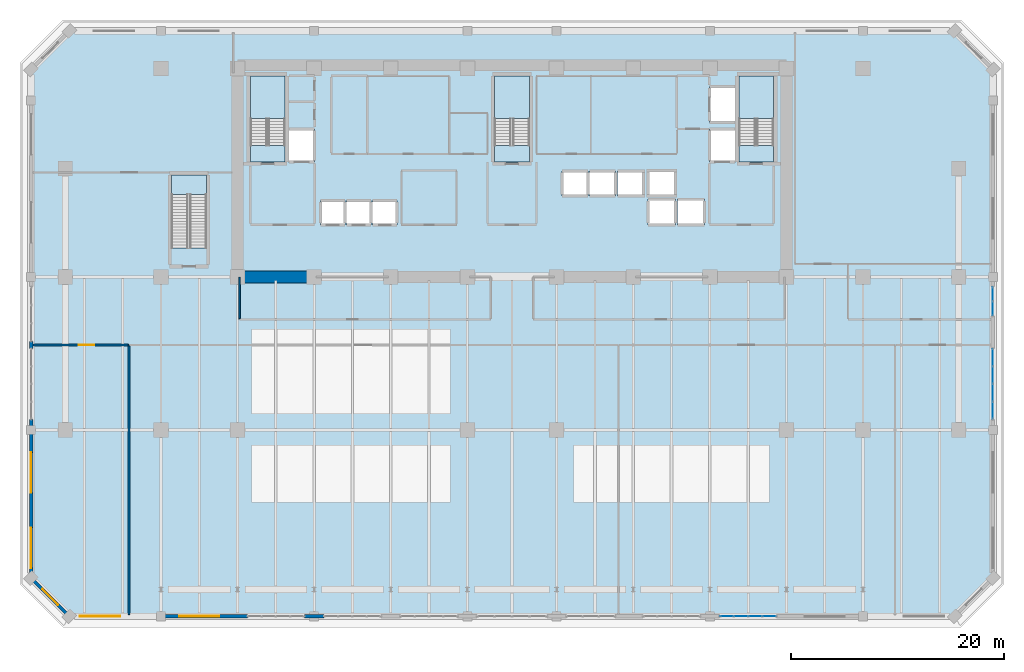
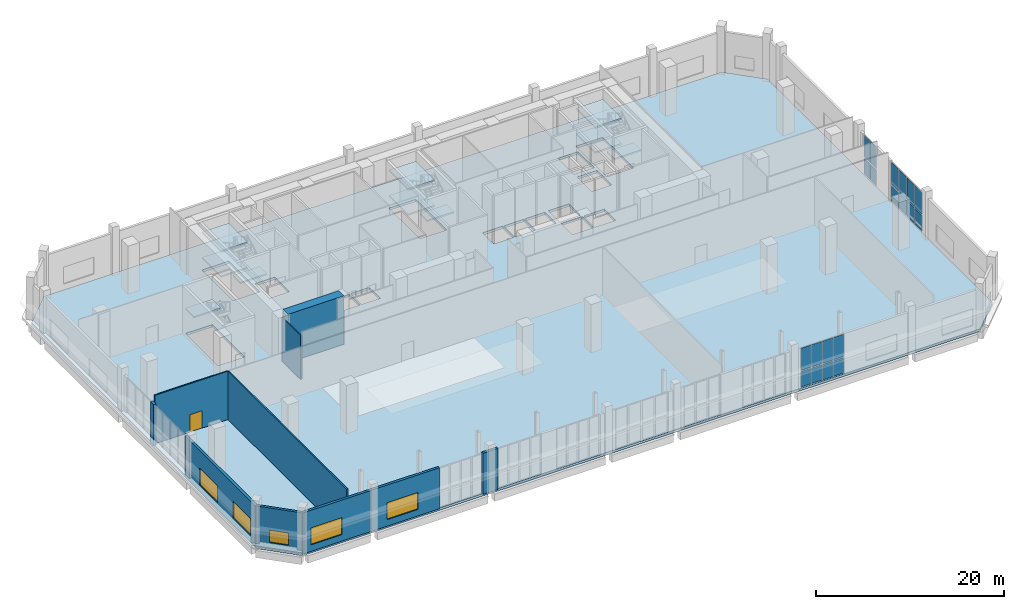
# One storey, part 20 of 29: 20 plates, 11 slabs, 9 walls, 5 windows, 1 door, 6 openings, 7 elements without a shape of their own.
"""IFC4 building model written with IfcOpenShell, lengths in metres."""

from ifc_helpers import new_model, si_unit, direction, frame, frame_2d, origin, origin_2d, place, context, subcontext, project, spatial, polyline, rectangle, outline, extrude, material, layer, layer_set, type_object, element, fill, aggregate, save


model = new_model("IFC4")

# Units and contexts
model_context = context("Model", 3, precision=1e-05, world=origin(), true_north=direction((0.0, 1.0)))
body_context = subcontext(model_context, "Body", "Model", "MODEL_VIEW")
ifc_project = project(units=[si_unit("LENGTHUNIT", "METRE"), si_unit("AREAUNIT", "SQUARE_METRE"), si_unit("VOLUMEUNIT", "CUBIC_METRE"), si_unit("PLANEANGLEUNIT", "RADIAN"), si_unit("MASSUNIT", "GRAM", prefix="KILO")], contexts=[model_context])

# Site, building, storey
site_placement = place(None, origin())
site = spatial("IfcSite", under=ifc_project, at=site_placement, CompositionType="ELEMENT")
building_placement = place(site_placement, origin())
building = spatial("IfcBuilding", under=site, at=building_placement, Name="Kaelvorn Grand Hotel", CompositionType="ELEMENT")
storey_placement = place(building_placement, frame((0.0, 0.0, 19.39990234375)))
storey = spatial("IfcBuildingStorey", under=building, at=storey_placement, Name="L03", CompositionType="ELEMENT", Elevation=19.39990234375)

# Curtain wall, plates
ifc_material_1 = material(Name="Anodised Aluminium", Category="aluminium")
ifc_layer_1 = layer(ifc_material_1, 0.199951171875)
ifc_layer_set_1 = layer_set([ifc_layer_1], Name="Anodised Aluminium")
curtain_wall_type = type_object("IfcCurtainWallType", Name="CW-SYS2", PredefinedType="NOTDEFINED", material=ifc_layer_set_1)
curtain_wall_1_placement = place(storey_placement, origin())
curtain_wall_1 = element("IfcCurtainWall", 1, at=curtain_wall_1_placement, inside=storey, type_object=curtain_wall_type, Name="L03 Unitised Curtain Wall CW2 (CW-L03-S-07)", PredefinedType="NOTDEFINED")
ifc_material_2 = material(Name="Laminated Low-E Glass", Category="glass")
ifc_layer_2 = layer(ifc_material_2, 0.031982421875)
ifc_layer_set_2 = layer_set([ifc_layer_2], Name="Laminated Low-E Glass")
plate_type = type_object("IfcPlateType", Name="CW-SYS2-PAN", PredefinedType="CURTAIN_PANEL", material=ifc_layer_set_2)
plate_1_placement = place(storey_placement, frame((62.208740234375, -2.5, 0.150146484375), z_axis=(0.0, 0.0, 1.0), x_axis=(1.0, 0.0, 0.0)))
plate_1 = element("IfcPlate", 2, at=plate_1_placement, type_object=plate_type, Name="CW2 panel 1.1", PredefinedType="CURTAIN_PANEL", context=body_context, shape_type="SweptSolid", body=[
    extrude(rectangle(XDim=1.2275390625, YDim=0.031982421875, at=origin_2d()), origin(), (0.0, 0.0, 1.0), 2.013671875),
])
plate_2_placement = place(storey_placement, frame((62.208740234375, -2.5, 2.3134765625), z_axis=(0.0, 0.0, 1.0), x_axis=(1.0, 0.0, 0.0)))
plate_2 = element("IfcPlate", 3, at=plate_2_placement, type_object=plate_type, Name="CW2 panel 1.2", PredefinedType="CURTAIN_PANEL", context=body_context, shape_type="SweptSolid", body=[
    extrude(rectangle(XDim=1.2275390625, YDim=0.031982421875, at=origin_2d()), origin(), (0.0, 0.0, 1.0), 2.866455078125),
])
plate_3_placement = place(storey_placement, frame((63.530029296875, -2.5, 0.150146484375), z_axis=(0.0, 0.0, 1.0), x_axis=(1.0, 0.0, 0.0)))
plate_3 = element("IfcPlate", 4, at=plate_3_placement, type_object=plate_type, Name="CW2 panel 2.1", PredefinedType="CURTAIN_PANEL", context=body_context, shape_type="SweptSolid", body=[
    extrude(rectangle(XDim=1.264892578125, YDim=0.031982421875, at=origin_2d()), origin(), (0.0, 0.0, 1.0), 2.013671875),
])
plate_4_placement = place(storey_placement, frame((63.530029296875, -2.5, 2.3134765625), z_axis=(0.0, 0.0, 1.0), x_axis=(1.0, 0.0, 0.0)))
plate_4 = element("IfcPlate", 5, at=plate_4_placement, type_object=plate_type, Name="CW2 panel 2.2", PredefinedType="CURTAIN_PANEL", context=body_context, shape_type="SweptSolid", body=[
    extrude(rectangle(XDim=1.264892578125, YDim=0.031982421875, at=origin_2d()), origin(), (0.0, 0.0, 1.0), 2.866455078125),
])
plate_5_placement = place(storey_placement, frame((64.8701171875, -2.5, 0.150146484375), z_axis=(0.0, 0.0, 1.0), x_axis=(1.0, 0.0, 0.0)))
plate_5 = element("IfcPlate", 6, at=plate_5_placement, type_object=plate_type, Name="CW2 panel 3.1", PredefinedType="CURTAIN_PANEL", context=body_context, shape_type="SweptSolid", body=[
    extrude(rectangle(XDim=1.264892578125, YDim=0.031982421875, at=origin_2d()), origin(), (0.0, 0.0, 1.0), 2.013671875),
])
plate_6_placement = place(storey_placement, frame((64.8701171875, -2.5, 2.3134765625), z_axis=(0.0, 0.0, 1.0), x_axis=(1.0, 0.0, 0.0)))
plate_6 = element("IfcPlate", 7, at=plate_6_placement, type_object=plate_type, Name="CW2 panel 3.2", PredefinedType="CURTAIN_PANEL", context=body_context, shape_type="SweptSolid", body=[
    extrude(rectangle(XDim=1.264892578125, YDim=0.031982421875, at=origin_2d()), origin(), (0.0, 0.0, 1.0), 2.866455078125),
])
plate_7_placement = place(storey_placement, frame((66.191162109375, -2.5, 0.150146484375), z_axis=(0.0, 0.0, 1.0), x_axis=(1.0, 0.0, 0.0)))
plate_7 = element("IfcPlate", 8, at=plate_7_placement, type_object=plate_type, Name="CW2 panel 4.1", PredefinedType="CURTAIN_PANEL", context=body_context, shape_type="SweptSolid", body=[
    extrude(rectangle(XDim=1.2275390625, YDim=0.031982421875, at=origin_2d()), origin(), (0.0, 0.0, 1.0), 2.013671875),
])
plate_8_placement = place(storey_placement, frame((66.191162109375, -2.5, 2.3134765625), z_axis=(0.0, 0.0, 1.0), x_axis=(1.0, 0.0, 0.0)))
plate_8 = element("IfcPlate", 9, at=plate_8_placement, type_object=plate_type, Name="CW2 panel 4.2", PredefinedType="CURTAIN_PANEL", context=body_context, shape_type="SweptSolid", body=[
    extrude(rectangle(XDim=1.2275390625, YDim=0.031982421875, at=origin_2d()), origin(), (0.0, 0.0, 1.0), 2.866455078125),
])
aggregate(curtain_wall_1, [plate_1, plate_2, plate_3, plate_4, plate_5, plate_6, plate_7, plate_8])

curtain_wall_2_placement = place(storey_placement, origin())
curtain_wall_2 = element("IfcCurtainWall", 10, at=curtain_wall_2_placement, inside=storey, type_object=curtain_wall_type, Name="L03 Unitised Curtain Wall CW2 (CW-L03-E-01)", PredefinedType="NOTDEFINED")
plate_9_placement = place(storey_placement, frame((87.199951171875, 16.853759765625, 0.150146484375), z_axis=(0.0, 0.0, 1.0), x_axis=(0.0, 1.0, 0.0)))
plate_9 = element("IfcPlate", 11, at=plate_9_placement, type_object=plate_type, Name="CW2 panel 1.1", PredefinedType="CURTAIN_PANEL", context=body_context, shape_type="SweptSolid", body=[
    extrude(rectangle(XDim=1.5576171875, YDim=0.031982421875, at=origin_2d()), origin(), (0.0, 0.0, 1.0), 2.013671875),
])
plate_10_placement = place(storey_placement, frame((87.199951171875, 16.853759765625, 2.3134765625), z_axis=(0.0, 0.0, 1.0), x_axis=(0.0, 1.0, 0.0)))
plate_10 = element("IfcPlate", 12, at=plate_10_placement, type_object=plate_type, Name="CW2 panel 1.2", PredefinedType="CURTAIN_PANEL", context=body_context, shape_type="SweptSolid", body=[
    extrude(rectangle(XDim=1.5576171875, YDim=0.031982421875, at=origin_2d()), origin(), (0.0, 0.0, 1.0), 2.866455078125),
])
plate_11_placement = place(storey_placement, frame((87.199951171875, 18.5048828125, 0.150146484375), z_axis=(0.0, 0.0, 1.0), x_axis=(0.0, 1.0, 0.0)))
plate_11 = element("IfcPlate", 13, at=plate_11_placement, type_object=plate_type, Name="CW2 panel 2.1", PredefinedType="CURTAIN_PANEL", context=body_context, shape_type="SweptSolid", body=[
    extrude(rectangle(XDim=1.594970703125, YDim=0.031982421875, at=origin_2d()), origin(), (0.0, 0.0, 1.0), 2.013671875),
])
plate_12_placement = place(storey_placement, frame((87.199951171875, 18.5048828125, 2.3134765625), z_axis=(0.0, 0.0, 1.0), x_axis=(0.0, 1.0, 0.0)))
plate_12 = element("IfcPlate", 14, at=plate_12_placement, type_object=plate_type, Name="CW2 panel 2.2", PredefinedType="CURTAIN_PANEL", context=body_context, shape_type="SweptSolid", body=[
    extrude(rectangle(XDim=1.594970703125, YDim=0.031982421875, at=origin_2d()), origin(), (0.0, 0.0, 1.0), 2.866455078125),
])
plate_13_placement = place(storey_placement, frame((87.199951171875, 20.175048828125, 0.150146484375), z_axis=(0.0, 0.0, 1.0), x_axis=(0.0, 1.0, 0.0)))
plate_13 = element("IfcPlate", 15, at=plate_13_placement, type_object=plate_type, Name="CW2 panel 3.1", PredefinedType="CURTAIN_PANEL", context=body_context, shape_type="SweptSolid", body=[
    extrude(rectangle(XDim=1.594970703125, YDim=0.031982421875, at=origin_2d()), origin(), (0.0, 0.0, 1.0), 2.013671875),
])
plate_14_placement = place(storey_placement, frame((87.199951171875, 20.175048828125, 2.3134765625), z_axis=(0.0, 0.0, 1.0), x_axis=(0.0, 1.0, 0.0)))
plate_14 = element("IfcPlate", 16, at=plate_14_placement, type_object=plate_type, Name="CW2 panel 3.2", PredefinedType="CURTAIN_PANEL", context=body_context, shape_type="SweptSolid", body=[
    extrude(rectangle(XDim=1.594970703125, YDim=0.031982421875, at=origin_2d()), origin(), (0.0, 0.0, 1.0), 2.866455078125),
])
plate_15_placement = place(storey_placement, frame((87.199951171875, 21.826171875, 0.150146484375), z_axis=(0.0, 0.0, 1.0), x_axis=(0.0, 1.0, 0.0)))
plate_15 = element("IfcPlate", 17, at=plate_15_placement, type_object=plate_type, Name="CW2 panel 4.1", PredefinedType="CURTAIN_PANEL", context=body_context, shape_type="SweptSolid", body=[
    extrude(rectangle(XDim=1.5576171875, YDim=0.031982421875, at=origin_2d()), origin(), (0.0, 0.0, 1.0), 2.013671875),
])
plate_16_placement = place(storey_placement, frame((87.199951171875, 21.826171875, 2.3134765625), z_axis=(0.0, 0.0, 1.0), x_axis=(0.0, 1.0, 0.0)))
plate_16 = element("IfcPlate", 18, at=plate_16_placement, type_object=plate_type, Name="CW2 panel 4.2", PredefinedType="CURTAIN_PANEL", context=body_context, shape_type="SweptSolid", body=[
    extrude(rectangle(XDim=1.5576171875, YDim=0.031982421875, at=origin_2d()), origin(), (0.0, 0.0, 1.0), 2.866455078125),
])
aggregate(curtain_wall_2, [plate_9, plate_10, plate_11, plate_12, plate_13, plate_14, plate_15, plate_16])

curtain_wall_3_placement = place(storey_placement, origin())
curtain_wall_3 = element("IfcCurtainWall", 19, at=curtain_wall_3_placement, inside=storey, type_object=curtain_wall_type, Name="L03 Unitised Curtain Wall CW2 (CW-L03-E-02)", PredefinedType="NOTDEFINED")
plate_17_placement = place(storey_placement, frame((87.199951171875, 26.4287109375, 0.150146484375), z_axis=(0.0, 0.0, 1.0), x_axis=(0.0, 1.0, 0.0)))
plate_17 = element("IfcPlate", 20, at=plate_17_placement, type_object=plate_type, Name="CW2 panel 1.1", PredefinedType="CURTAIN_PANEL", context=body_context, shape_type="SweptSolid", body=[
    extrude(rectangle(XDim=1.267578125, YDim=0.031982421875, at=origin_2d()), origin(), (0.0, 0.0, 1.0), 2.013671875),
])
plate_18_placement = place(storey_placement, frame((87.199951171875, 26.4287109375, 2.3134765625), z_axis=(0.0, 0.0, 1.0), x_axis=(0.0, 1.0, 0.0)))
plate_18 = element("IfcPlate", 21, at=plate_18_placement, type_object=plate_type, Name="CW2 panel 1.2", PredefinedType="CURTAIN_PANEL", context=body_context, shape_type="SweptSolid", body=[
    extrude(rectangle(XDim=1.267578125, YDim=0.031982421875, at=origin_2d()), origin(), (0.0, 0.0, 1.0), 2.866455078125),
])
plate_19_placement = place(storey_placement, frame((87.199951171875, 27.771240234375, 0.150146484375), z_axis=(0.0, 0.0, 1.0), x_axis=(0.0, 1.0, 0.0)))
plate_19 = element("IfcPlate", 22, at=plate_19_placement, type_object=plate_type, Name="CW2 panel 2.1", PredefinedType="CURTAIN_PANEL", context=body_context, shape_type="SweptSolid", body=[
    extrude(rectangle(XDim=1.267578125, YDim=0.031982421875, at=origin_2d()), origin(), (0.0, 0.0, 1.0), 2.013671875),
])
plate_20_placement = place(storey_placement, frame((87.199951171875, 27.771240234375, 2.3134765625), z_axis=(0.0, 0.0, 1.0), x_axis=(0.0, 1.0, 0.0)))
plate_20 = element("IfcPlate", 23, at=plate_20_placement, type_object=plate_type, Name="CW2 panel 2.2", PredefinedType="CURTAIN_PANEL", context=body_context, shape_type="SweptSolid", body=[
    extrude(rectangle(XDim=1.267578125, YDim=0.031982421875, at=origin_2d()), origin(), (0.0, 0.0, 1.0), 2.866455078125),
])
aggregate(curtain_wall_3, [plate_17, plate_18, plate_19, plate_20])

# Slab
ifc_material_3 = material(Name="Concrete C40/50", Category="concrete")
ifc_layer_3 = layer(ifc_material_3, 0.320068359375)
ifc_layer_set_3 = layer_set([ifc_layer_3], Name="Concrete C40/50")
slab_type_1 = type_object("IfcSlabType", Name="SLB-FLR-320-C40", PredefinedType="FLOOR", material=ifc_layer_set_3)
slab_1_placement = place(storey_placement, frame((0.0, 0.0, -0.31982421875)))
element("IfcSlab", 24, at=slab_1_placement, inside=storey, type_object=slab_type_1, Name="L03 Indoor Suspended Floor Slab", PredefinedType="FLOOR", context=body_context, shape_type="SweptSolid", body=[
    extrude(outline(polyline([(0.39990234375, -2.5), (83.60009765625, -2.5), (87.199951171875, 1.10009765625), (87.199951171875, 48.89990234375), (83.60009765625, 52.5), (0.39990234375, 52.5), (-3.199951171875, 48.89990234375), (-3.199951171875, 1.10009765625), (0.39990234375, -2.5)]), holes=[polyline([(17.39990234375, 41.760009765625), (17.39990234375, 48.300048828125), (20.679931640625, 48.300048828125), (20.679931640625, 41.760009765625), (17.39990234375, 41.760009765625)]), polyline([(40.360107421875, 41.760009765625), (40.360107421875, 48.300048828125), (43.639892578125, 48.300048828125), (43.639892578125, 41.760009765625), (40.360107421875, 41.760009765625)]), polyline([(63.320068359375, 41.760009765625), (63.320068359375, 48.300048828125), (66.60009765625, 48.300048828125), (66.60009765625, 41.760009765625), (63.320068359375, 41.760009765625)]), polyline([(10.0, 32.110107421875), (10.0, 39.0), (13.280029296875, 39.0), (13.280029296875, 32.110107421875), (10.0, 32.110107421875)]), polyline([(24.0, 34.300048828125), (24.0, 36.60009765625), (26.300048828125, 36.60009765625), (26.300048828125, 34.300048828125), (24.0, 34.300048828125)]), polyline([(26.449951171875, 34.300048828125), (26.449951171875, 36.60009765625), (28.75, 36.60009765625), (28.75, 34.300048828125), (26.449951171875, 34.300048828125)]), polyline([(28.89990234375, 34.300048828125), (28.89990234375, 36.60009765625), (31.199951171875, 36.60009765625), (31.199951171875, 34.300048828125), (28.89990234375, 34.300048828125)]), polyline([(46.699951171875, 37.0), (46.699951171875, 39.35009765625), (49.14990234375, 39.35009765625), (49.14990234375, 37.0), (46.699951171875, 37.0)]), polyline([(49.300048828125, 37.0), (49.300048828125, 39.35009765625), (51.75, 39.35009765625), (51.75, 37.0), (49.300048828125, 37.0)]), polyline([(51.89990234375, 37.0), (51.89990234375, 39.35009765625), (54.35009765625, 39.35009765625), (54.35009765625, 37.0), (51.89990234375, 37.0)]), polyline([(54.800048828125, 34.300048828125), (54.800048828125, 36.699951171875), (57.35009765625, 36.699951171875), (57.35009765625, 34.300048828125), (54.800048828125, 34.300048828125)]), polyline([(57.550048828125, 34.300048828125), (57.550048828125, 36.699951171875), (60.10009765625, 36.699951171875), (60.10009765625, 34.300048828125), (57.550048828125, 34.300048828125)]), polyline([(54.800048828125, 37.0), (54.800048828125, 39.39990234375), (57.35009765625, 39.39990234375), (57.35009765625, 37.0), (54.800048828125, 37.0)]), polyline([(21.0, 40.199951171875), (21.0, 43.300048828125), (23.449951171875, 43.300048828125), (23.449951171875, 40.199951171875), (21.0, 40.199951171875)]), polyline([(60.550048828125, 40.199951171875), (60.550048828125, 43.300048828125), (63.0, 43.300048828125), (63.0, 40.199951171875), (60.550048828125, 40.199951171875)]), polyline([(60.550048828125, 43.89990234375), (60.550048828125, 47.300048828125), (63.0, 47.300048828125), (63.0, 43.89990234375), (60.550048828125, 43.89990234375)])]), origin(), (0.0, 0.0, 1.0), 0.31982421875),
])

# Stair, slabs
stair_type_1 = type_object("IfcStairType", Name="STR-DOG-1560-R05", PredefinedType="HALF_TURN_STAIR", material=ifc_material_3)
stair_1_placement = place(storey_placement, origin())
stair_1 = element("IfcStair", 25, at=stair_1_placement, inside=storey, type_object=stair_type_1, Name="L03 West Core Exit Stair ST1", PredefinedType="HALF_TURN_STAIR")
ifc_layer_4 = layer(ifc_material_3, 0.199951171875)
ifc_layer_set_4 = layer_set([ifc_layer_4], Name="Concrete C40/50")
slab_type_2 = type_object("IfcSlabType", Name="SLB-LAND-200-C40", PredefinedType="LANDING", material=ifc_layer_set_4)
slab_2_placement = place(storey_placement, frame((0.0, 0.0, 1.4501953125)))
slab_2 = element("IfcSlab", 26, at=slab_2_placement, type_object=slab_type_2, Name="ST1 landing 1", PredefinedType="LANDING", context=body_context, shape_type="SweptSolid", body=[
    extrude(outline(polyline([(20.679931640625, 44.280029296875), (20.679931640625, 48.300048828125), (17.39990234375, 48.300048828125), (17.39990234375, 44.280029296875), (20.679931640625, 44.280029296875)])), origin(), (0.0, 0.0, 1.0), 0.199951171875),
])
slab_3_placement = place(storey_placement, frame((0.0, 0.0, 3.10009765625)))
slab_3 = element("IfcSlab", 27, at=slab_3_placement, type_object=slab_type_2, Name="ST1 landing 2", PredefinedType="LANDING", context=body_context, shape_type="SweptSolid", body=[
    extrude(outline(polyline([(20.679931640625, 40.199951171875), (20.679931640625, 41.760009765625), (17.39990234375, 41.760009765625), (17.39990234375, 40.199951171875), (20.679931640625, 40.199951171875)])), origin(), (0.0, 0.0, 1.0), 0.199951171875),
])
slab_4_placement = place(storey_placement, frame((0.0, 0.0, 4.75)))
slab_4 = element("IfcSlab", 28, at=slab_4_placement, type_object=slab_type_2, Name="ST1 landing 3", PredefinedType="LANDING", context=body_context, shape_type="SweptSolid", body=[
    extrude(outline(polyline([(20.679931640625, 44.280029296875), (20.679931640625, 48.300048828125), (17.39990234375, 48.300048828125), (17.39990234375, 44.280029296875), (20.679931640625, 44.280029296875)])), origin(), (0.0, 0.0, 1.0), 0.2001953125),
])
aggregate(stair_1, [slab_2, slab_3, slab_4])

stair_2_placement = place(storey_placement, origin())
stair_2 = element("IfcStair", 29, at=stair_2_placement, inside=storey, type_object=stair_type_1, Name="L03 Central Core Exit Stair ST2", PredefinedType="HALF_TURN_STAIR")
slab_5_placement = place(storey_placement, frame((0.0, 0.0, 1.4501953125)))
slab_5 = element("IfcSlab", 30, at=slab_5_placement, type_object=slab_type_2, Name="ST2 landing 1", PredefinedType="LANDING", context=body_context, shape_type="SweptSolid", body=[
    extrude(outline(polyline([(43.639892578125, 44.280029296875), (43.639892578125, 48.300048828125), (40.360107421875, 48.300048828125), (40.360107421875, 44.280029296875), (43.639892578125, 44.280029296875)])), origin(), (0.0, 0.0, 1.0), 0.199951171875),
])
slab_6_placement = place(storey_placement, frame((0.0, 0.0, 3.10009765625)))
slab_6 = element("IfcSlab", 31, at=slab_6_placement, type_object=slab_type_2, Name="ST2 landing 2", PredefinedType="LANDING", context=body_context, shape_type="SweptSolid", body=[
    extrude(outline(polyline([(43.639892578125, 40.199951171875), (43.639892578125, 41.760009765625), (40.360107421875, 41.760009765625), (40.360107421875, 40.199951171875), (43.639892578125, 40.199951171875)])), origin(), (0.0, 0.0, 1.0), 0.199951171875),
])
slab_7_placement = place(storey_placement, frame((0.0, 0.0, 4.75)))
slab_7 = element("IfcSlab", 32, at=slab_7_placement, type_object=slab_type_2, Name="ST2 landing 3", PredefinedType="LANDING", context=body_context, shape_type="SweptSolid", body=[
    extrude(outline(polyline([(43.639892578125, 44.280029296875), (43.639892578125, 48.300048828125), (40.360107421875, 48.300048828125), (40.360107421875, 44.280029296875), (43.639892578125, 44.280029296875)])), origin(), (0.0, 0.0, 1.0), 0.2001953125),
])
aggregate(stair_2, [slab_5, slab_6, slab_7])

stair_3_placement = place(storey_placement, origin())
stair_3 = element("IfcStair", 33, at=stair_3_placement, inside=storey, type_object=stair_type_1, Name="L03 East Core Exit Stair ST3", PredefinedType="HALF_TURN_STAIR")
slab_8_placement = place(storey_placement, frame((0.0, 0.0, 1.4501953125)))
slab_8 = element("IfcSlab", 34, at=slab_8_placement, type_object=slab_type_2, Name="ST3 landing 1", PredefinedType="LANDING", context=body_context, shape_type="SweptSolid", body=[
    extrude(outline(polyline([(66.60009765625, 44.280029296875), (66.60009765625, 48.300048828125), (63.320068359375, 48.300048828125), (63.320068359375, 44.280029296875), (66.60009765625, 44.280029296875)])), origin(), (0.0, 0.0, 1.0), 0.199951171875),
])
slab_9_placement = place(storey_placement, frame((0.0, 0.0, 3.10009765625)))
slab_9 = element("IfcSlab", 35, at=slab_9_placement, type_object=slab_type_2, Name="ST3 landing 2", PredefinedType="LANDING", context=body_context, shape_type="SweptSolid", body=[
    extrude(outline(polyline([(66.60009765625, 40.199951171875), (66.60009765625, 41.760009765625), (63.320068359375, 41.760009765625), (63.320068359375, 40.199951171875), (66.60009765625, 40.199951171875)])), origin(), (0.0, 0.0, 1.0), 0.199951171875),
])
slab_10_placement = place(storey_placement, frame((0.0, 0.0, 4.75)))
slab_10 = element("IfcSlab", 36, at=slab_10_placement, type_object=slab_type_2, Name="ST3 landing 3", PredefinedType="LANDING", context=body_context, shape_type="SweptSolid", body=[
    extrude(outline(polyline([(66.60009765625, 44.280029296875), (66.60009765625, 48.300048828125), (63.320068359375, 48.300048828125), (63.320068359375, 44.280029296875), (66.60009765625, 44.280029296875)])), origin(), (0.0, 0.0, 1.0), 0.2001953125),
])
aggregate(stair_3, [slab_8, slab_9, slab_10])

# Stair, slab
stair_type_2 = type_object("IfcStairType", Name="STR-DOG-1560-R13", PredefinedType="HALF_TURN_STAIR", material=ifc_material_3)
stair_4_placement = place(storey_placement, origin())
stair_4 = element("IfcStair", 37, at=stair_4_placement, inside=storey, type_object=stair_type_2, Name="L03 Podium Grand Stair ST4", PredefinedType="HALF_TURN_STAIR")
slab_11_placement = place(storey_placement, frame((0.0, 0.0, 3.10009765625)))
slab_11 = element("IfcSlab", 38, at=slab_11_placement, type_object=slab_type_2, Name="ST4 landing 1", PredefinedType="LANDING", context=body_context, shape_type="SweptSolid", body=[
    extrude(outline(polyline([(13.280029296875, 37.14990234375), (13.280029296875, 39.0), (10.0, 39.0), (10.0, 37.14990234375), (13.280029296875, 37.14990234375)])), origin(), (0.0, 0.0, 1.0), 0.199951171875),
])
aggregate(stair_4, [slab_11])

# Wall
ifc_material_4 = material(Name="Concrete C80/95", Category="concrete")
ifc_layer_5 = layer(ifc_material_4, 1.10009765625)
ifc_layer_set_5 = layer_set([ifc_layer_5], Name="Concrete C80/95")
wall_type_1 = type_object("IfcWallType", Name="WL-CORE-1100-C80", PredefinedType="SHEAR", material=ifc_layer_set_5)
wall_1_placement = place(storey_placement, frame((16.7548828125, 29.39990234375, 0.0), z_axis=(0.0, 0.0, 1.0), x_axis=(1.0, 0.0, 0.0)))
element("IfcWall", 39, at=wall_1_placement, inside=storey, type_object=wall_type_1, Name="L03 Rear-Core Coupled Shear Pier S1", PredefinedType="SHEAR", context=body_context, shape_type="SweptSolid", body=[
    extrude(rectangle(XDim=6.84521484375, YDim=1.10009765625, at=frame_2d((3.422607421875, 0.0))), origin(), (0.0, 0.0, 1.0), 6.280029296875),
])

# Wall, openings, windows
ifc_layer_6 = layer(ifc_material_3, 0.300048828125)
ifc_layer_set_6 = layer_set([ifc_layer_6], Name="Concrete C40/50")
wall_type_2 = type_object("IfcWallType", Name="WL-EXT-300-C40", PredefinedType="SOLIDWALL", material=ifc_layer_set_6)
wall_2_placement = place(storey_placement, frame((0.39990234375, -2.5, 0.0), z_axis=(0.0, 0.0, 1.0), x_axis=(1.0, 0.0, 0.0)))
wall_2 = element("IfcWall", 40, at=wall_2_placement, inside=storey, type_object=wall_type_2, Name="L03 Exterior Architectural Concrete Wall 01 Pier 1", PredefinedType="SOLIDWALL", context=body_context, shape_type="SweptSolid", body=[
    extrude(rectangle(XDim=16.72509765625, YDim=0.300048828125, at=frame_2d((8.362548828125, 0.0))), origin(), (0.0, 0.0, 1.0), 5.330078125),
])
opening_1_placement = place(wall_2_placement, frame((0.97509765625, 0.0, 0.85009765625)))
opening_1 = element("IfcOpeningElement", 41, at=opening_1_placement, cuts=wall_2, Name="Opening W9", PredefinedType="OPENING", context=body_context, shape_type="SweptSolid", body=[
    extrude(rectangle(XDim=3.800048828125, YDim=2.199951171875, at=frame_2d((1.89990234375, 1.10009765625))), frame((0.0, 0.16015625, 0.0), z_axis=(0.0, -1.0, 0.0), x_axis=(1.0, 0.0, 0.0)), (0.0, 0.0, 1.0), 0.320068359375),
])
opening_2_placement = place(wall_2_placement, frame((10.300048828125, 0.0, 0.85009765625)))
opening_2 = element("IfcOpeningElement", 42, at=opening_2_placement, cuts=wall_2, Name="Opening W9", PredefinedType="OPENING", context=body_context, shape_type="SweptSolid", body=[
    extrude(rectangle(XDim=3.800048828125, YDim=2.199951171875, at=frame_2d((1.89990234375, 1.10009765625))), frame((0.0, 0.16015625, 0.0), z_axis=(0.0, -1.0, 0.0), x_axis=(1.0, 0.0, 0.0)), (0.0, 0.0, 1.0), 0.320068359375),
])
window_type_1 = type_object("IfcWindowType", Name="WIN-POD-3800x2200", PartitioningType="SINGLE_PANEL", PredefinedType="WINDOW", material=ifc_material_2)
window_1_placement = place(opening_1_placement, origin())
window_1 = element("IfcWindow", 43, at=window_1_placement, inside=storey, type_object=window_type_1, Name="L03 Podium South Ribbon Window 1", OverallHeight=2.199951171875, OverallWidth=3.800048828125, PartitioningType="SINGLE_PANEL", PredefinedType="WINDOW", context=body_context, shape_type="SweptSolid", body=[
    extrude(rectangle(XDim=3.800048828125, YDim=2.199951171875, at=frame_2d((1.89990234375, 1.10009765625))), frame((0.0, 0.030029296875, 0.0), z_axis=(0.0, -1.0, 0.0), x_axis=(1.0, 0.0, 0.0)), (0.0, 0.0, 1.0), 0.06005859375),
])
fill(opening_1, window_1)
window_2_placement = place(opening_2_placement, origin())
window_2 = element("IfcWindow", 44, at=window_2_placement, inside=storey, type_object=window_type_1, Name="L03 Podium South Ribbon Window 2", OverallHeight=2.199951171875, OverallWidth=3.800048828125, PartitioningType="SINGLE_PANEL", PredefinedType="WINDOW", context=body_context, shape_type="SweptSolid", body=[
    extrude(rectangle(XDim=3.800048828125, YDim=2.199951171875, at=frame_2d((1.89990234375, 1.10009765625))), frame((0.0, 0.030029296875, 0.0), z_axis=(0.0, -1.0, 0.0), x_axis=(1.0, 0.0, 0.0)), (0.0, 0.0, 1.0), 0.06005859375),
])
fill(opening_2, window_2)

# Walls
wall_3_placement = place(storey_placement, frame((22.47509765625, -2.5, 0.0), z_axis=(0.0, 0.0, 1.0), x_axis=(1.0, 0.0, 0.0)))
element("IfcWall", 45, at=wall_3_placement, inside=storey, type_object=wall_type_2, Name="L03 Exterior Architectural Concrete Wall 01 Pier 2", PredefinedType="SOLIDWALL", context=body_context, shape_type="SweptSolid", body=[
    extrude(rectangle(XDim=1.849853515625, YDim=0.300048828125, at=frame_2d((0.9248046875, 0.0))), origin(), (0.0, 0.0, 1.0), 5.330078125),
])
wall_4_placement = place(storey_placement, frame((-3.199951171875, 23.324951171875, 0.0), z_axis=(0.0, 0.0, 1.0), x_axis=(0.0, -1.0, 0.0)))
element("IfcWall", 46, at=wall_4_placement, inside=storey, type_object=wall_type_2, Name="L03 Exterior Architectural Concrete Wall 07 Pier 2", PredefinedType="SOLIDWALL", context=body_context, shape_type="SweptSolid", body=[
    extrude(rectangle(XDim=0.64990234375, YDim=0.300048828125, at=frame_2d((0.324951171875, 0.0))), origin(), (0.0, 0.0, 1.0), 5.330078125),
])

# Wall, openings, windows
wall_5_placement = place(storey_placement, frame((-3.199951171875, 16.0048828125, 0.0), z_axis=(0.0, 0.0, 1.0), x_axis=(0.0, -1.0, 0.0)))
wall_5 = element("IfcWall", 47, at=wall_5_placement, inside=storey, type_object=wall_type_2, Name="L03 Exterior Architectural Concrete Wall 07 Pier 3", PredefinedType="SOLIDWALL", context=body_context, shape_type="SweptSolid", body=[
    extrude(rectangle(XDim=14.90478515625, YDim=0.300048828125, at=frame_2d((7.452392578125, 0.0))), origin(), (0.0, 0.0, 1.0), 5.330078125),
])
opening_3_placement = place(wall_5_placement, frame((10.179931640625, 0.0, 0.85009765625)))
opening_3 = element("IfcOpeningElement", 48, at=opening_3_placement, cuts=wall_5, Name="Opening W9", PredefinedType="OPENING", context=body_context, shape_type="SweptSolid", body=[
    extrude(rectangle(XDim=3.800048828125, YDim=2.199951171875, at=frame_2d((1.89990234375, 1.10009765625))), frame((0.0, 0.16015625, 0.0), z_axis=(0.0, -1.0, 0.0), x_axis=(1.0, 0.0, 0.0)), (0.0, 0.0, 1.0), 0.320068359375),
])
opening_4_placement = place(wall_5_placement, frame((3.10498046875, 0.0, 0.85009765625)))
opening_4 = element("IfcOpeningElement", 49, at=opening_4_placement, cuts=wall_5, Name="Opening W9", PredefinedType="OPENING", context=body_context, shape_type="SweptSolid", body=[
    extrude(rectangle(XDim=3.800048828125, YDim=2.199951171875, at=frame_2d((1.89990234375, 1.10009765625))), frame((0.0, 0.16015625, 0.0), z_axis=(0.0, -1.0, 0.0), x_axis=(1.0, 0.0, 0.0)), (0.0, 0.0, 1.0), 0.320068359375),
])
window_3_placement = place(opening_3_placement, origin())
window_3 = element("IfcWindow", 50, at=window_3_placement, inside=storey, type_object=window_type_1, Name="L03 Podium W Ribbon Window 1", OverallHeight=2.199951171875, OverallWidth=3.800048828125, PartitioningType="SINGLE_PANEL", PredefinedType="WINDOW", context=body_context, shape_type="SweptSolid", body=[
    extrude(rectangle(XDim=3.800048828125, YDim=2.199951171875, at=frame_2d((1.89990234375, 1.10009765625))), frame((0.0, 0.030029296875, 0.0), z_axis=(0.0, -1.0, 0.0), x_axis=(1.0, 0.0, 0.0)), (0.0, 0.0, 1.0), 0.06005859375),
])
fill(opening_3, window_3)
window_4_placement = place(opening_4_placement, origin())
window_4 = element("IfcWindow", 51, at=window_4_placement, inside=storey, type_object=window_type_1, Name="L03 Podium W Ribbon Window 2", OverallHeight=2.199951171875, OverallWidth=3.800048828125, PartitioningType="SINGLE_PANEL", PredefinedType="WINDOW", context=body_context, shape_type="SweptSolid", body=[
    extrude(rectangle(XDim=3.800048828125, YDim=2.199951171875, at=frame_2d((1.89990234375, 1.10009765625))), frame((0.0, 0.030029296875, 0.0), z_axis=(0.0, -1.0, 0.0), x_axis=(1.0, 0.0, 0.0)), (0.0, 0.0, 1.0), 0.06005859375),
])
fill(opening_4, window_4)

# Wall, opening, window
wall_6_placement = place(storey_placement, frame((-3.199951171875, 1.10009765625, 0.0), z_axis=(0.0, 0.0, 1.0), x_axis=(0.707082803744, -0.707130757816, 0.0)))
wall_6 = element("IfcWall", 52, at=wall_6_placement, inside=storey, type_object=wall_type_2, Name="L03 Exterior Architectural Concrete Wall 08", PredefinedType="SOLIDWALL", context=body_context, shape_type="SweptSolid", body=[
    extrude(rectangle(XDim=5.091064453125, YDim=0.300048828125, at=frame_2d((2.54541015625, 0.0))), origin(), (0.0, 0.0, 1.0), 5.330078125),
])
opening_5_placement = place(wall_6_placement, frame((1.49560546875, 0.0, 0.85009765625)))
opening_5 = element("IfcOpeningElement", 53, at=opening_5_placement, cuts=wall_6, Name="Opening W7", PredefinedType="OPENING", context=body_context, shape_type="SweptSolid", body=[
    extrude(rectangle(XDim=2.10009765625, YDim=1.60009765625, at=frame_2d((1.050048828125, 0.800048828125))), frame((0.0, 0.16015625, 0.0), z_axis=(0.0, -1.0, 0.0), x_axis=(1.0, 0.0, 0.0)), (0.0, 0.0, 1.0), 0.320068359375),
])
window_type_2 = type_object("IfcWindowType", Name="WIN-CHM-2100x1600", PartitioningType="SINGLE_PANEL", PredefinedType="WINDOW", material=ifc_material_2)
window_5_placement = place(opening_5_placement, origin())
window_5 = element("IfcWindow", 54, at=window_5_placement, inside=storey, type_object=window_type_2, Name="L03 Chamfered 45-Degree Corner Window SW", OverallHeight=1.60009765625, OverallWidth=2.10009765625, PartitioningType="SINGLE_PANEL", PredefinedType="WINDOW", context=body_context, shape_type="SweptSolid", body=[
    extrude(rectangle(XDim=2.10009765625, YDim=1.60009765625, at=frame_2d((1.050048828125, 0.800048828125))), frame((0.0, 0.030029296875, 0.0), z_axis=(0.0, -1.0, 0.0), x_axis=(1.0, 0.0, 0.0)), (0.0, 0.0, 1.0), 0.06005859375),
])
fill(opening_5, window_5)

# Wall
ifc_material_5 = material(Name="Acoustic Gypsum & Stud Partition")
ifc_layer_7 = layer(ifc_material_5, 0.14990234375)
ifc_layer_set_7 = layer_set([ifc_layer_7], Name="Acoustic Gypsum & Stud Partition")
wall_type_3 = type_object("IfcWallType", Name="WL-PART-150-EI60", PredefinedType="PARTITIONING", material=ifc_layer_set_7)
wall_7_placement = place(storey_placement, frame((6.0, -2.344970703125, 0.0), z_axis=(0.0, 0.0, 1.0), x_axis=(0.0, 1.0, 0.0)))
element("IfcWall", 55, at=wall_7_placement, inside=storey, type_object=wall_type_3, Name="L03 Grand Ballroom W Partition", PredefinedType="PARTITIONING", context=body_context, shape_type="SweptSolid", body=[
    extrude(rectangle(XDim=25.264892578125, YDim=0.14990234375, at=frame_2d((12.63232421875, 0.0))), origin(), (0.0, 0.0, 1.0), 6.280029296875),
])

# Wall, opening, door
wall_8_placement = place(storey_placement, frame((-3.044921875, 23.0, 0.0), z_axis=(0.0, 0.0, 1.0), x_axis=(1.0, 0.0, 0.0)))
wall_8 = element("IfcWall", 56, at=wall_8_placement, inside=storey, type_object=wall_type_3, Name="L03 Banquet Finishing Pantry N Partition", PredefinedType="PARTITIONING", context=body_context, shape_type="SweptSolid", body=[
    extrude(rectangle(XDim=8.96484375, YDim=0.14990234375, at=frame_2d((4.482421875, 0.0))), origin(), (0.0, 0.0, 1.0), 6.280029296875),
])
opening_6_placement = place(wall_8_placement, frame((4.294921875, 0.0, 0.0)))
opening_6 = element("IfcOpeningElement", 57, at=opening_6_placement, cuts=wall_8, Name="Opening DI5", PredefinedType="OPENING", context=body_context, shape_type="SweptSolid", body=[
    extrude(rectangle(XDim=1.5, YDim=2.25, at=frame_2d((0.75, 1.125))), frame((0.0, 0.0849609375, 0.0), z_axis=(0.0, -1.0, 0.0), x_axis=(1.0, 0.0, 0.0)), (0.0, 0.0, 1.0), 0.169921875),
])
ifc_material_6 = material(Name="Timber Veneer Fire Leaf", Category="wood")
door_type = type_object("IfcDoorType", Name="DR-INT-SALON-1500x2250", OperationType="DOUBLE_DOOR_SINGLE_SWING", PredefinedType="DOOR", material=ifc_material_6)
door_placement = place(opening_6_placement, origin())
door = element("IfcDoor", 58, at=door_placement, inside=storey, type_object=door_type, Name="L03 Banquet Finishing Pantry Door", OperationType="DOUBLE_DOOR_SINGLE_SWING", OverallHeight=2.25, OverallWidth=1.5, PredefinedType="DOOR", context=body_context, shape_type="SweptSolid", body=[
    extrude(rectangle(XDim=1.5, YDim=2.25, at=frame_2d((0.75, 1.125))), frame((0.0, 0.02490234375, 0.0), z_axis=(0.0, -1.0, 0.0), x_axis=(1.0, 0.0, 0.0)), (0.0, 0.0, 1.0), 0.050048828125),
])
fill(opening_6, door)

# Wall
wall_9_placement = place(storey_placement, frame((16.39990234375, 25.47998046875, 0.0), z_axis=(0.0, 0.0, 1.0), x_axis=(0.0, 1.0, 0.0)))
element("IfcWall", 59, at=wall_9_placement, inside=storey, type_object=wall_type_3, Name="L03 Ballroom AV & Broadcast Suite W Partition", PredefinedType="PARTITIONING", context=body_context, shape_type="SweptSolid", body=[
    extrude(rectangle(XDim=3.909912109375, YDim=0.14990234375, at=frame_2d((1.955078125, 0.0))), origin(), (0.0, 0.0, 1.0), 5.68017578125),
])

save(model, "model.ifc")
